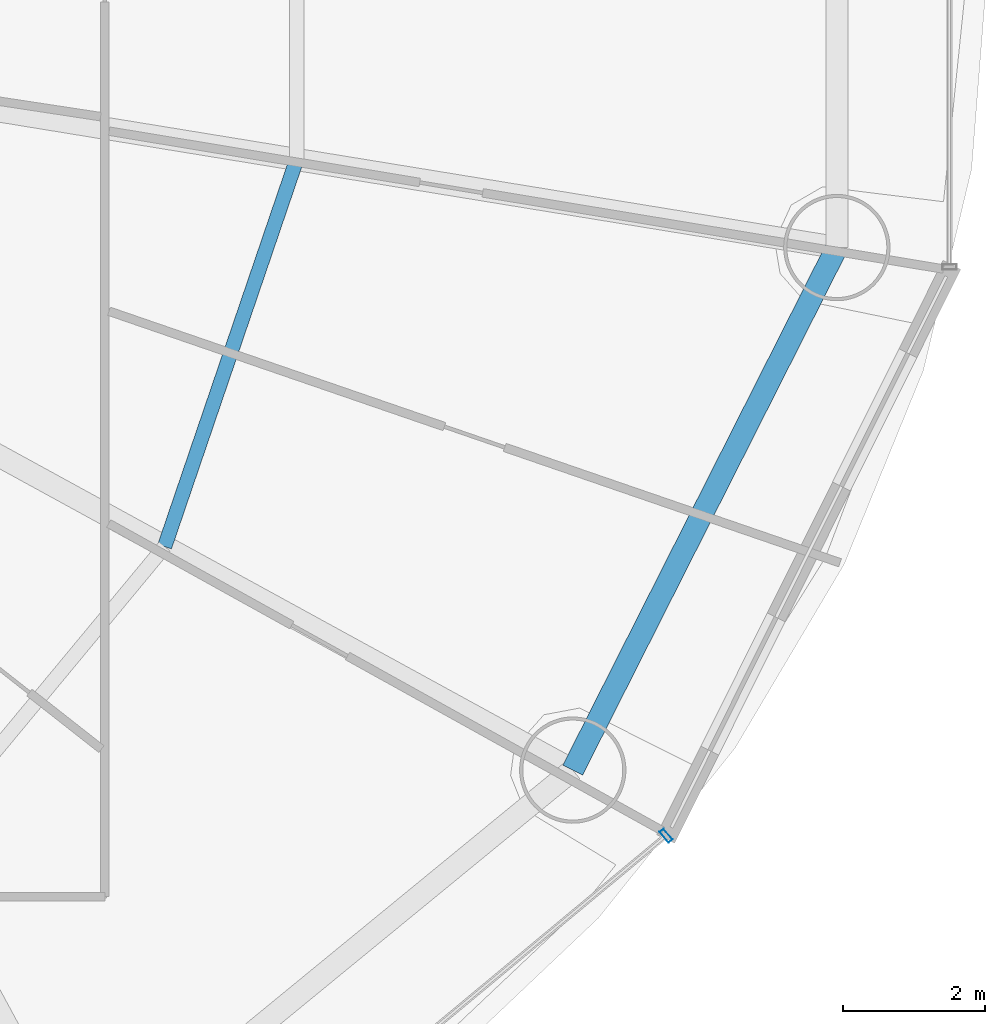
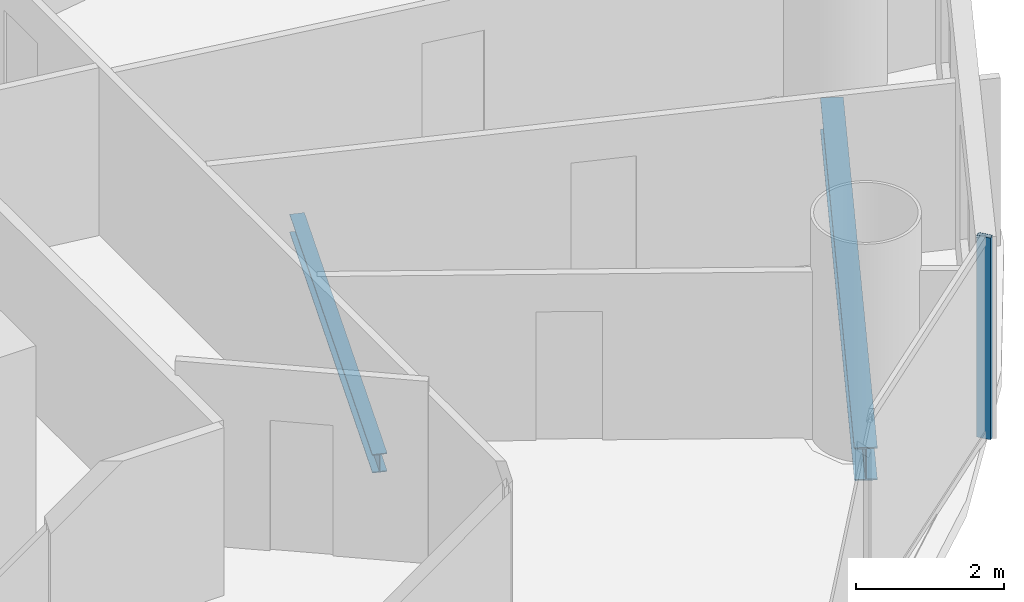
# One storey, part 12 of 28: 2 beams, 1 member, 1 element without a shape of its own.
"""IFC4 building model written with IfcOpenShell, lengths in metres."""

from ifc_helpers import new_model, si_unit, direction, frame, origin, origin_2d, place, context, subcontext, project, spatial, hollow_rectangle, i_section, extrude, source, transform, mapped, material, material_profile, profile_set, type_object, element, aggregate, save


model = new_model("IFC4")

# Units and contexts
model_context = context("Model", 3, precision=1e-05, world=origin(), true_north=direction((-0.2419218956, 0.970295726276)))
body_context = subcontext(model_context, "Body", "Model", "MODEL_VIEW")
ifc_project = project(units=[si_unit("LENGTHUNIT", "METRE"), si_unit("AREAUNIT", "SQUARE_METRE"), si_unit("VOLUMEUNIT", "CUBIC_METRE"), si_unit("PLANEANGLEUNIT", "RADIAN"), si_unit("MASSUNIT", "GRAM", prefix="KILO")], contexts=[model_context])

# Site, building, storey
site_placement = place(None, origin())
site = spatial("IfcSite", under=ifc_project, at=site_placement, CompositionType="ELEMENT")
building_placement = place(site_placement, origin())
building = spatial("IfcBuilding", under=site, at=building_placement, Name="Cobrevalo Terracotta Tower", CompositionType="ELEMENT")
storey_placement = place(building_placement, frame((0.0, 0.0, 101.39990234375)))
storey = spatial("IfcBuildingStorey", under=building, at=storey_placement, Name="L26", CompositionType="ELEMENT", Elevation=101.39990234375)

# Beams
ifc_material_1 = material(Name="Steel S355", Category="steel")
ifc_material_profile_1 = material_profile(ifc_material_1, i_section(OverallWidth=0.2041015625, OverallDepth=0.305908203125, WebThickness=0.008544921875, FlangeThickness=0.0146484375, at=origin_2d()), Name="W 310x67")
ifc_profile_set_1 = profile_set([ifc_material_profile_1], Name="Steel S355")
beam_type_1 = type_object("IfcBeamType", Name="Structural Joist W 310x67 (Steel S355)", PredefinedType="JOIST", material=ifc_profile_set_1)
beam_1_placement = place(storey_placement, frame((52.987548828125, 18.591796875, -0.427978515625), z_axis=(0.322846227919, 0.946451431991, 0.0), x_axis=(-0.946451431991, 0.322846227919, 0.0)))
element("IfcBeam", 1, at=beam_1_placement, inside=storey, type_object=beam_type_1, Name="L26 circumferential secondary floor joist 15", PredefinedType="JOIST", context=body_context, shape_type="SweptSolid", body=[
    extrude(i_section(OverallWidth=0.2041015625, OverallDepth=0.305908203125, WebThickness=0.008544921875, FlangeThickness=0.0146484375, at=origin_2d()), origin(), (0.0, 0.0, 1.0), 5.77001953125),
])
ifc_material_profile_2 = material_profile(ifc_material_1, i_section(OverallWidth=0.31201171875, OverallDepth=0.54296875, WebThickness=0.0126953125, FlangeThickness=0.020263671875, at=origin_2d()), Name="W 530x150")
ifc_profile_set_2 = profile_set([ifc_material_profile_2], Name="Steel S355")
beam_type_2 = type_object("IfcBeamType", Name="Structural Spandrel W 530x150 (Steel S355)", PredefinedType="SPANDREL", material=ifc_profile_set_2)
beam_2_placement = place(storey_placement, frame((58.7451171875, 15.4384765625, -0.54638671875), z_axis=(0.451051982172, 0.892497680321, 0.0), x_axis=(-0.892497680321, 0.451051982172, 0.0)))
element("IfcBeam", 2, at=beam_2_placement, inside=storey, type_object=beam_type_2, Name="L26 perimeter ring spandrel 15", PredefinedType="SPANDREL", context=body_context, shape_type="SweptSolid", body=[
    extrude(i_section(OverallWidth=0.31201171875, OverallDepth=0.54296875, WebThickness=0.0126953125, FlangeThickness=0.020263671875, at=origin_2d()), origin(), (0.0, 0.0, 1.0), 8.259765625),
])

# Curtain wall, member
ifc_material_2 = material(Name="Anodized aluminium", Category="aluminium")
curtain_wall_type = type_object("IfcCurtainWallType", Name="Lower-tower unitised acoustic low-E curtain wall CW-U1", PredefinedType="NOTDEFINED", material=ifc_material_2)
curtain_wall_placement = place(storey_placement, origin())
curtain_wall = element("IfcCurtainWall", 3, at=curtain_wall_placement, inside=storey, type_object=curtain_wall_type, Name="L26 curtain wall CW-L26-S14", PredefinedType="NOTDEFINED")
ifc_material_profile_3 = material_profile(ifc_material_2, hollow_rectangle(XDim=0.074951171875, YDim=0.199951171875, WallThickness=0.0048828125, at=origin_2d()), Name="CWM 75x200")
ifc_profile_set_3 = profile_set([ifc_material_profile_3], Name="Anodized aluminium")
member_type = type_object("IfcMemberType", Name="Lower/mid tower unitised mullion 75x200", PredefinedType="MULLION", material=ifc_profile_set_3)
shared_shape = source(origin(), body_context, "Body", "SweptSolid", [
    extrude(hollow_rectangle(XDim=0.074951171875, YDim=0.199951171875, WallThickness=0.0048828125, at=origin_2d()), origin(), (0.0, 0.0, 1.0), 3.3251953125),
])
member_placement = place(storey_placement, frame((60.061279296875, 14.512939453125, 0.0), z_axis=(0.0, 0.0, 1.0), x_axis=(0.769243451658, 0.638955798222, 0.0)))
member = element("IfcMember", 4, at=member_placement, type_object=member_type, Name="CW-L26-S14 vertical mullion 03", PredefinedType="MULLION", context=body_context, shape_type="MappedRepresentation", body=[
    mapped(shared_shape, transform((0.0, 0.0, 0.0), scale=1.0)),
])
aggregate(curtain_wall, [member])

save(model, "model.ifc")
